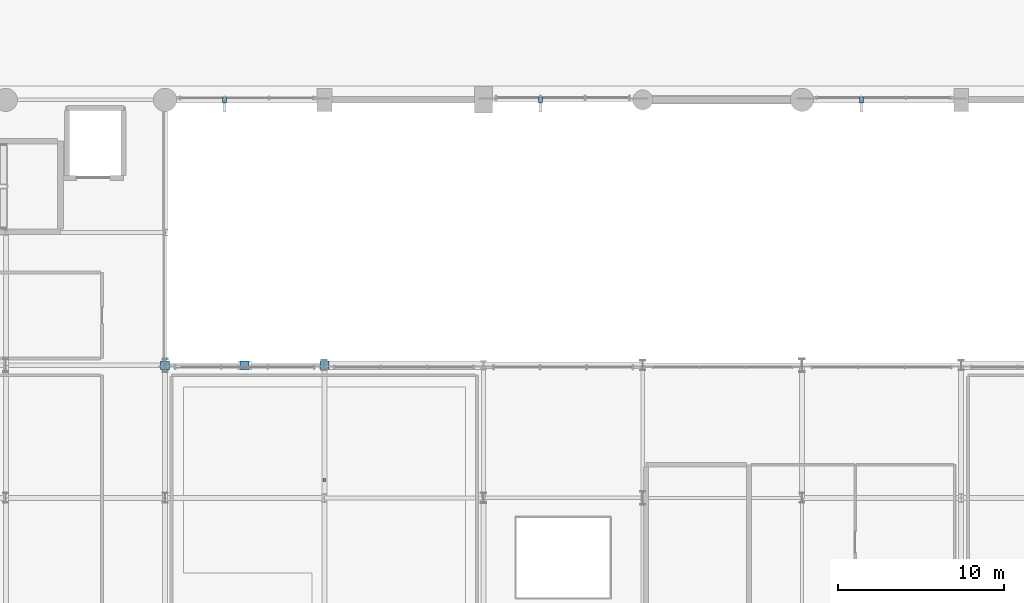
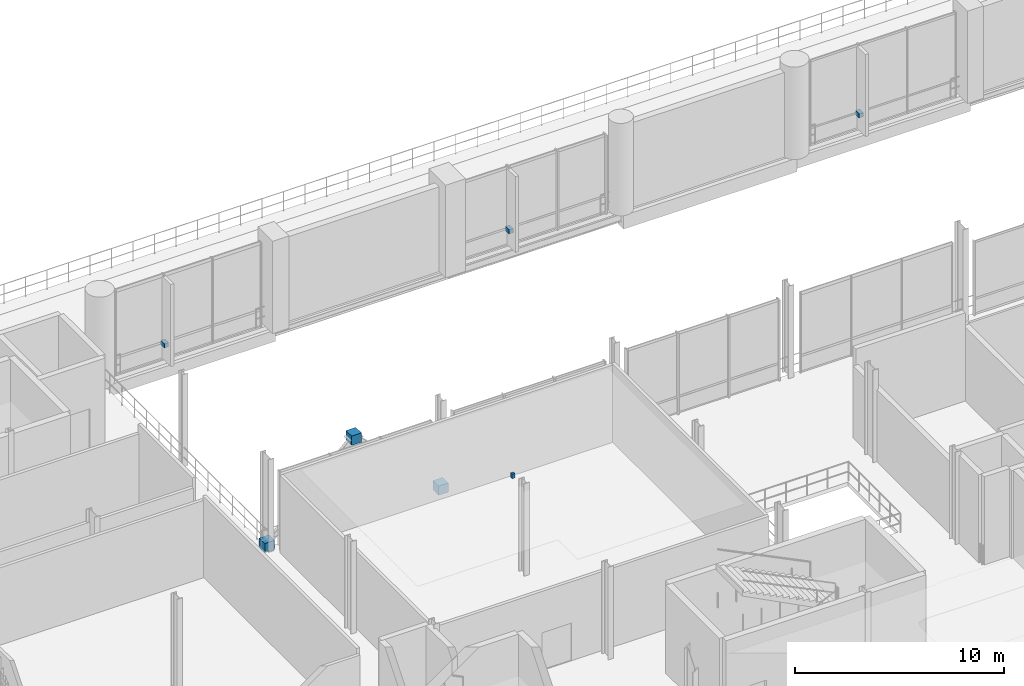
# One storey, part 90 of 129: 7 discrete accessories.
"""IFC4 building model written with IfcOpenShell, lengths in metres."""

from ifc_helpers import new_model, si_unit, direction, frame, origin, origin_2d, place, context, subcontext, project, spatial, rectangle, extrude, material, type_object, element, save


model = new_model("IFC4")

# Units and contexts
model_context = context("Model", 3, precision=1e-05, world=origin(), true_north=direction((0.0, 1.0)))
body_context = subcontext(model_context, "Body", "Model", "MODEL_VIEW")
ifc_project = project(units=[si_unit("LENGTHUNIT", "METRE"), si_unit("AREAUNIT", "SQUARE_METRE"), si_unit("VOLUMEUNIT", "CUBIC_METRE"), si_unit("PLANEANGLEUNIT", "RADIAN"), si_unit("MASSUNIT", "GRAM", prefix="KILO")], contexts=[model_context])

# Site, building, storey
site_placement = place(None, origin())
site = spatial("IfcSite", under=ifc_project, at=site_placement, CompositionType="ELEMENT")
building_placement = place(site_placement, origin())
building = spatial("IfcBuilding", under=site, at=building_placement, Name="Danafjord Basin Convention Centre", CompositionType="ELEMENT")
storey_placement = place(building_placement, frame((0.0, 0.0, 6.0)))
storey = spatial("IfcBuildingStorey", under=building, at=storey_placement, Name="L01", CompositionType="ELEMENT", Elevation=6.0)

# Discrete accessories
ifc_material_1 = material(Name="Stainless steel EN 1.4404", Category="steel")
discrete_accessory_type_1 = type_object("IfcDiscreteAccessoryType", Name="ACC-FIN-BRK", PredefinedType="BRACKET", material=ifc_material_1)
for number, where, z_axis, x_axis, name in (
    (1, (22.783203125, 56.0, 0.830078125), (0.0, 0.0, 1.0), (1.0, 0.0, 0.0), "Solar fin stainless-steel mounting bracket"),
    (2, (41.833251953125, 56.0, 0.830078125), (0.0, 0.0, 1.0), (1.0, 0.0, 0.0), "Solar fin stainless-steel mounting bracket"),
    (3, (61.183349609375, 56.0, 0.830078125), (0.0, 0.0, 1.0), (1.0, 0.0, 0.0), "Solar fin stainless-steel mounting bracket"),
):
    element("IfcDiscreteAccessory", number, at=place(storey_placement, frame(where, z_axis=z_axis, x_axis=x_axis)), inside=storey, type_object=discrete_accessory_type_1, Name=name, PredefinedType="BRACKET", context=body_context, shape_type="SweptSolid", body=[
        extrude(rectangle(XDim=0.239990234375, YDim=0.360107421875, at=origin_2d()), origin(), (0.0, 0.0, 1.0), 0.239990234375),
    ])
discrete_accessory_placement = place(storey_placement, frame((28.800048828125, 33.0869140625, 4.91015625), z_axis=(0.0, 0.0, 1.0), x_axis=(1.0, 0.0, 0.0)))
element("IfcDiscreteAccessory", 4, at=discrete_accessory_placement, inside=storey, type_object=discrete_accessory_type_1, Name="Suspended ceiling steel hanger assembly", PredefinedType="BRACKET", context=body_context, shape_type="SweptSolid", body=[
    extrude(rectangle(XDim=0.159912109375, YDim=0.159912109375, at=origin_2d()), origin(), (0.0, 0.0, 1.0), 0.260009765625),
])
ifc_material_2 = material(Name="Steel S355", Category="steel")
discrete_accessory_type_2 = type_object("IfcDiscreteAccessoryType", Name="ACC-SF-HUB", PredefinedType="BRACKET", material=ifc_material_2)
for number, where, z_axis, x_axis, name in (
    (5, (19.199951171875, 40.0, -0.070068359375), (0.0, 0.0, 1.0), (1.0, 0.0, 0.0), "Braced frame closed steel node"),
    (6, (28.800048828125, 40.0, -0.070068359375), (0.0, 0.0, 1.0), (1.0, 0.0, 0.0), "Braced frame closed steel node"),
    (7, (24.0, 40.0, 4.530029296875), (0.0, 0.0, 1.0), (1.0, 0.0, 0.0), "Braced frame closed steel node"),
):
    element("IfcDiscreteAccessory", number, at=place(storey_placement, frame(where, z_axis=z_axis, x_axis=x_axis)), inside=storey, type_object=discrete_accessory_type_2, Name=name, PredefinedType="BRACKET", context=body_context, shape_type="SweptSolid", body=[
        extrude(rectangle(XDim=0.5400390625, YDim=0.5400390625, at=origin_2d()), origin(), (0.0, 0.0, 1.0), 0.5400390625),
    ])

save(model, "model.ifc")
